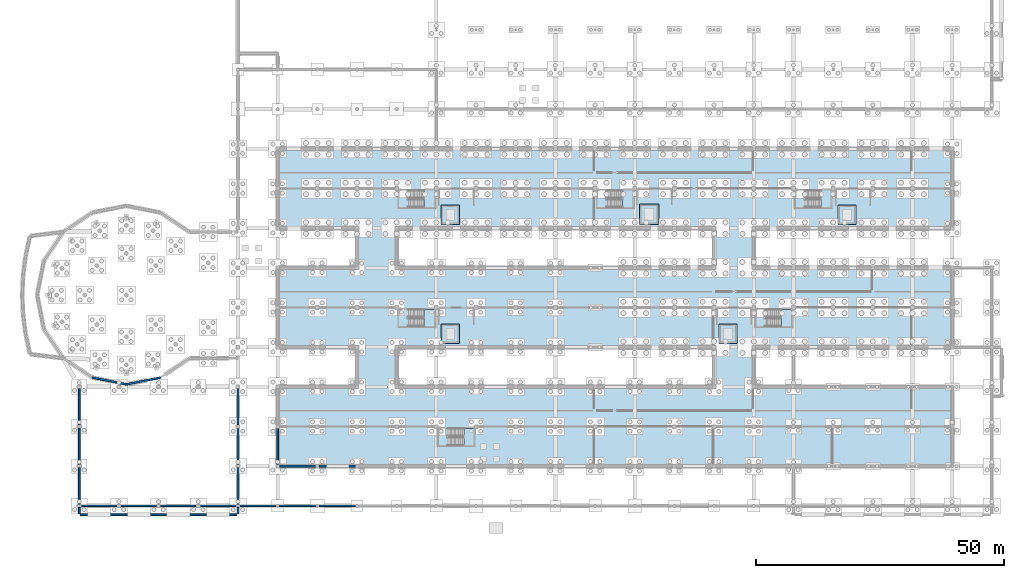
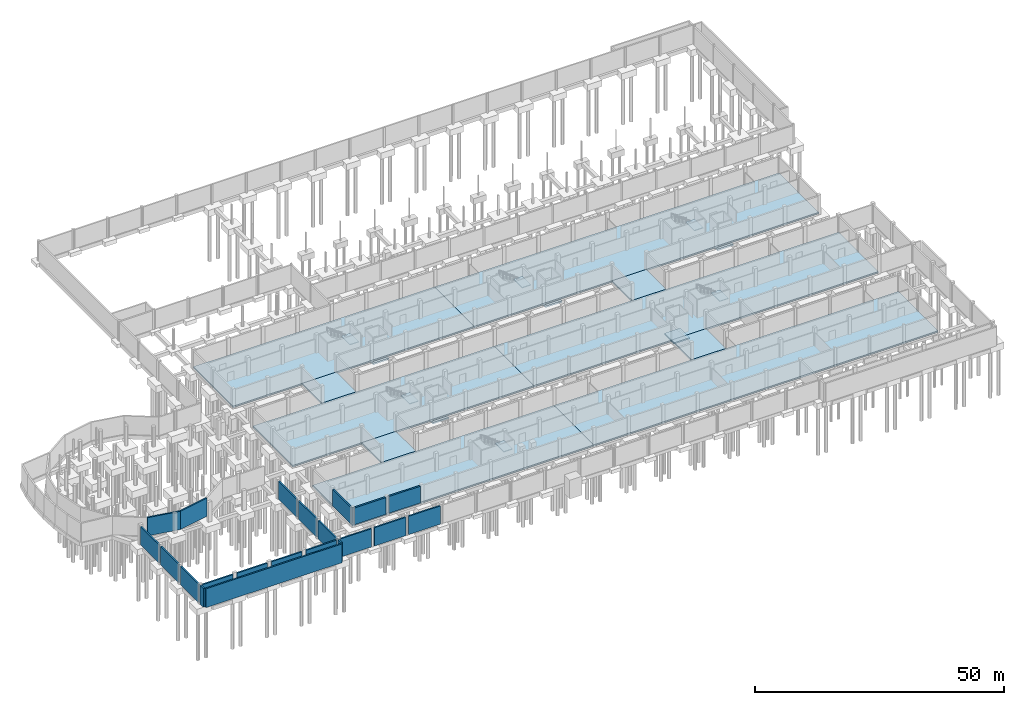
# One storey, part 36 of 51: 21 slabs, 21 walls, 6 elements without a shape of their own.
"""IFC4 building model written with IfcOpenShell, lengths in metres."""

from ifc_helpers import new_model, si_unit, direction, frame, frame_2d, origin, place, context, subcontext, project, spatial, polyline, rectangle, outline, extrude, material, layer, layer_set, type_object, element, aggregate, save


model = new_model("IFC4")

# Units and contexts
model_context = context("Model", 3, precision=1e-05, world=origin(), true_north=direction((0.0, 1.0)))
body_context = subcontext(model_context, "Body", "Model", "MODEL_VIEW")
ifc_project = project(units=[si_unit("LENGTHUNIT", "METRE"), si_unit("AREAUNIT", "SQUARE_METRE"), si_unit("VOLUMEUNIT", "CUBIC_METRE"), si_unit("PLANEANGLEUNIT", "RADIAN"), si_unit("MASSUNIT", "GRAM", prefix="KILO")], contexts=[model_context])

# Site, building, storey
site_placement = place(None, origin())
site = spatial("IfcSite", under=ifc_project, at=site_placement, CompositionType="ELEMENT")
building_placement = place(site_placement, origin())
building = spatial("IfcBuilding", under=site, at=building_placement, Name="Jelvoka-Kovrelna Polytechnic", CompositionType="ELEMENT")
storey_placement = place(building_placement, frame((0.0, 0.0, -4.5)))
storey = spatial("IfcBuildingStorey", under=building, at=storey_placement, Name="B01", CompositionType="ELEMENT", Elevation=-4.5)

# Slabs
ifc_material_1 = material(Name="Concrete C35/45", Category="concrete")
ifc_layer_1 = layer(ifc_material_1, 0.35009765625)
ifc_layer_set_1 = layer_set([ifc_layer_1], Name="Concrete C35/45")
slab_type_1 = type_object("IfcSlabType", Name="Slab_Base_350", PredefinedType="BASESLAB", material=ifc_layer_set_1)
slab_1_placement = place(storey_placement, frame((0.0, 0.0, -1.85009765625)))
element("IfcSlab", 1, at=slab_1_placement, inside=storey, type_object=slab_type_1, Name="B01 lift pit base slab LF-FF1", PredefinedType="BASESLAB", context=body_context, shape_type="SweptSolid", body=[
    extrude(outline(polyline([(88.949951171875, 56.75), (92.64990234375, 56.75), (92.64990234375, 60.64990234375), (88.949951171875, 60.64990234375), (88.949951171875, 56.75)])), origin(), (0.0, 0.0, 1.0), 0.35009765625),
])
slab_2_placement = place(storey_placement, frame((0.0, 0.0, -1.85009765625)))
element("IfcSlab", 2, at=slab_2_placement, inside=storey, type_object=slab_type_1, Name="B01 lift pit base slab LF-FF2", PredefinedType="BASESLAB", context=body_context, shape_type="SweptSolid", body=[
    extrude(outline(polyline([(168.949951171875, 56.75), (172.64990234375, 56.75), (172.64990234375, 60.64990234375), (168.949951171875, 60.64990234375), (168.949951171875, 56.75)])), origin(), (0.0, 0.0, 1.0), 0.35009765625),
])
slab_3_placement = place(storey_placement, frame((0.0, 0.0, -1.85009765625)))
element("IfcSlab", 3, at=slab_3_placement, inside=storey, type_object=slab_type_1, Name="B01 lift pit base slab LF-P1", PredefinedType="BASESLAB", context=body_context, shape_type="SweptSolid", body=[
    extrude(outline(polyline([(88.949951171875, 32.75), (92.64990234375, 32.75), (92.64990234375, 36.64990234375), (88.949951171875, 36.64990234375), (88.949951171875, 32.75)])), origin(), (0.0, 0.0, 1.0), 0.35009765625),
])
slab_4_placement = place(storey_placement, frame((0.0, 0.0, -1.85009765625)))
element("IfcSlab", 4, at=slab_4_placement, inside=storey, type_object=slab_type_1, Name="B01 lift pit base slab LF-P2", PredefinedType="BASESLAB", context=body_context, shape_type="SweptSolid", body=[
    extrude(outline(polyline([(144.949951171875, 32.75), (148.64990234375, 32.75), (148.64990234375, 36.64990234375), (144.949951171875, 36.64990234375), (144.949951171875, 32.75)])), origin(), (0.0, 0.0, 1.0), 0.35009765625),
])
slab_5_placement = place(storey_placement, frame((0.0, 0.0, -1.85009765625)))
element("IfcSlab", 5, at=slab_5_placement, inside=storey, type_object=slab_type_1, Name="B01 lift pit base slab LF-G2", PredefinedType="BASESLAB", context=body_context, shape_type="SweptSolid", body=[
    extrude(outline(polyline([(128.949951171875, 56.75), (132.85009765625, 56.75), (132.85009765625, 60.85009765625), (128.949951171875, 60.85009765625), (128.949951171875, 56.75)])), origin(), (0.0, 0.0, 1.0), 0.35009765625),
])
ifc_material_2 = material(Name="Concrete C35/45", Category="concrete")
ifc_layer_2 = layer(ifc_material_2, 0.405029296875)
ifc_layer_set_2 = layer_set([ifc_layer_2], Name="Concrete C35/45")
slab_type_2 = type_object("IfcSlabType", Name="Slab_Base_400", PredefinedType="BASESLAB", material=ifc_layer_set_2)
slab_6_placement = place(storey_placement, frame((0.0, 0.0, -0.405029296875)))
element("IfcSlab", 6, at=slab_6_placement, inside=storey, type_object=slab_type_2, Name="B01 B1W structural slab", PredefinedType="BASESLAB", context=body_context, shape_type="SweptSolid", body=[
    extrude(outline(polyline([(56.0, 8.0), (112.0, 8.0), (112.0, 24.0), (56.0, 24.0), (56.0, 8.0)])), origin(), (0.0, 0.0, 1.0), 0.405029296875),
])
slab_7_placement = place(storey_placement, frame((0.0, 0.0, -0.405029296875)))
element("IfcSlab", 7, at=slab_7_placement, inside=storey, type_object=slab_type_2, Name="B01 B1E structural slab", PredefinedType="BASESLAB", context=body_context, shape_type="SweptSolid", body=[
    extrude(outline(polyline([(112.0, 8.0), (192.0, 8.0), (192.0, 24.0), (112.0, 24.0), (112.0, 8.0)])), origin(), (0.0, 0.0, 1.0), 0.405029296875),
])
slab_8_placement = place(storey_placement, frame((0.0, 0.0, -0.405029296875)))
element("IfcSlab", 8, at=slab_8_placement, inside=storey, type_object=slab_type_2, Name="B01 B2W structural slab", PredefinedType="BASESLAB", context=body_context, shape_type="SweptSolid", body=[
    extrude(outline(polyline([(56.0, 32.0), (112.0, 32.0), (112.0, 48.0), (56.0, 48.0), (56.0, 32.0)])), origin(), (0.0, 0.0, 1.0), 0.405029296875),
])
slab_9_placement = place(storey_placement, frame((0.0, 0.0, -0.405029296875)))
element("IfcSlab", 9, at=slab_9_placement, inside=storey, type_object=slab_type_2, Name="B01 B2E structural slab", PredefinedType="BASESLAB", context=body_context, shape_type="SweptSolid", body=[
    extrude(outline(polyline([(112.0, 32.0), (192.0, 32.0), (192.0, 48.0), (112.0, 48.0), (112.0, 32.0)])), origin(), (0.0, 0.0, 1.0), 0.405029296875),
])
slab_10_placement = place(storey_placement, frame((0.0, 0.0, -0.405029296875)))
element("IfcSlab", 10, at=slab_10_placement, inside=storey, type_object=slab_type_2, Name="B01 B3W structural slab", PredefinedType="BASESLAB", context=body_context, shape_type="SweptSolid", body=[
    extrude(outline(polyline([(56.0, 56.0), (112.0, 56.0), (112.0, 72.0), (56.0, 72.0), (56.0, 56.0)])), origin(), (0.0, 0.0, 1.0), 0.405029296875),
])
slab_11_placement = place(storey_placement, frame((0.0, 0.0, -0.405029296875)))
element("IfcSlab", 11, at=slab_11_placement, inside=storey, type_object=slab_type_2, Name="B01 B3E structural slab", PredefinedType="BASESLAB", context=body_context, shape_type="SweptSolid", body=[
    extrude(outline(polyline([(112.0, 56.0), (192.0, 56.0), (192.0, 72.0), (112.0, 72.0), (112.0, 56.0)])), origin(), (0.0, 0.0, 1.0), 0.405029296875),
])
slab_12_placement = place(storey_placement, frame((0.0, 0.0, -0.405029296875)))
element("IfcSlab", 12, at=slab_12_placement, inside=storey, type_object=slab_type_2, Name="B01 LNKSW structural slab", PredefinedType="BASESLAB", context=body_context, shape_type="SweptSolid", body=[
    extrude(outline(polyline([(72.0, 24.0), (80.0, 24.0), (80.0, 32.0), (72.0, 32.0), (72.0, 24.0)])), origin(), (0.0, 0.0, 1.0), 0.405029296875),
])
slab_13_placement = place(storey_placement, frame((0.0, 0.0, -0.405029296875)))
element("IfcSlab", 13, at=slab_13_placement, inside=storey, type_object=slab_type_2, Name="B01 LNKSE structural slab", PredefinedType="BASESLAB", context=body_context, shape_type="SweptSolid", body=[
    extrude(outline(polyline([(144.0, 24.0), (152.0, 24.0), (152.0, 32.0), (144.0, 32.0), (144.0, 24.0)])), origin(), (0.0, 0.0, 1.0), 0.405029296875),
])
slab_14_placement = place(storey_placement, frame((0.0, 0.0, -0.405029296875)))
element("IfcSlab", 14, at=slab_14_placement, inside=storey, type_object=slab_type_2, Name="B01 LNKW structural slab", PredefinedType="BASESLAB", context=body_context, shape_type="SweptSolid", body=[
    extrude(outline(polyline([(72.0, 48.0), (80.0, 48.0), (80.0, 56.0), (72.0, 56.0), (72.0, 48.0)])), origin(), (0.0, 0.0, 1.0), 0.405029296875),
])
slab_15_placement = place(storey_placement, frame((0.0, 0.0, -0.405029296875)))
element("IfcSlab", 15, at=slab_15_placement, inside=storey, type_object=slab_type_2, Name="B01 LNKE structural slab", PredefinedType="BASESLAB", context=body_context, shape_type="SweptSolid", body=[
    extrude(outline(polyline([(144.0, 48.0), (152.0, 48.0), (152.0, 56.0), (144.0, 56.0), (144.0, 48.0)])), origin(), (0.0, 0.0, 1.0), 0.405029296875),
])

# Stair, slab
ifc_material_3 = material(Name="Concrete C35/45", Category="concrete")
stair_type_1 = type_object("IfcStairType", Name="Stair_Dogleg_1620", PredefinedType="TWO_STRAIGHT_RUN_STAIR", material=ifc_material_3)
stair_1_placement = place(storey_placement, origin())
stair_1 = element("IfcStair", 16, at=stair_1_placement, inside=storey, type_object=stair_type_1, Name="B01 ST06", PredefinedType="TWO_STRAIGHT_RUN_STAIR")
ifc_material_4 = material(Name="Concrete C35/45", Category="concrete")
ifc_layer_3 = layer(ifc_material_4, 0.199951171875)
ifc_layer_set_3 = layer_set([ifc_layer_3], Name="Concrete C35/45")
slab_type_3 = type_object("IfcSlabType", Name="Slab_Stair_Landing_200", PredefinedType="LANDING", material=ifc_layer_set_3)
slab_16_placement = place(storey_placement, frame((0.0, 0.0, 2.050048828125)))
slab_16 = element("IfcSlab", 17, at=slab_16_placement, type_object=slab_type_3, Name="ST06 landing 1", PredefinedType="LANDING", context=body_context, shape_type="SweptSolid", body=[
    extrude(outline(polyline([(93.550048828125, 12.199951171875), (95.60009765625, 12.199951171875), (95.60009765625, 15.639892578125), (93.550048828125, 15.639892578125), (93.550048828125, 12.199951171875)])), origin(), (0.0, 0.0, 1.0), 0.199951171875),
])
aggregate(stair_1, [slab_16])

stair_2_placement = place(storey_placement, origin())
stair_2 = element("IfcStair", 18, at=stair_2_placement, inside=storey, type_object=stair_type_1, Name="B01 ST07", PredefinedType="TWO_STRAIGHT_RUN_STAIR")
slab_17_placement = place(storey_placement, frame((0.0, 0.0, 2.050048828125)))
slab_17 = element("IfcSlab", 19, at=slab_17_placement, type_object=slab_type_3, Name="ST07 landing 1", PredefinedType="LANDING", context=body_context, shape_type="SweptSolid", body=[
    extrude(outline(polyline([(85.550048828125, 36.199951171875), (87.60009765625, 36.199951171875), (87.60009765625, 39.639892578125), (85.550048828125, 39.639892578125), (85.550048828125, 36.199951171875)])), origin(), (0.0, 0.0, 1.0), 0.199951171875),
])
aggregate(stair_2, [slab_17])

stair_3_placement = place(storey_placement, origin())
stair_3 = element("IfcStair", 20, at=stair_3_placement, inside=storey, type_object=stair_type_1, Name="B01 ST08", PredefinedType="TWO_STRAIGHT_RUN_STAIR")
slab_18_placement = place(storey_placement, frame((0.0, 0.0, 2.050048828125)))
slab_18 = element("IfcSlab", 21, at=slab_18_placement, type_object=slab_type_3, Name="ST08 landing 1", PredefinedType="LANDING", context=body_context, shape_type="SweptSolid", body=[
    extrude(outline(polyline([(157.550048828125, 36.199951171875), (159.60009765625, 36.199951171875), (159.60009765625, 39.639892578125), (157.550048828125, 39.639892578125), (157.550048828125, 36.199951171875)])), origin(), (0.0, 0.0, 1.0), 0.199951171875),
])
aggregate(stair_3, [slab_18])

stair_4_placement = place(storey_placement, origin())
stair_4 = element("IfcStair", 22, at=stair_4_placement, inside=storey, type_object=stair_type_1, Name="B01 ST09", PredefinedType="TWO_STRAIGHT_RUN_STAIR")
slab_19_placement = place(storey_placement, frame((0.0, 0.0, 2.050048828125)))
slab_19 = element("IfcSlab", 23, at=slab_19_placement, type_object=slab_type_3, Name="ST09 landing 1", PredefinedType="LANDING", context=body_context, shape_type="SweptSolid", body=[
    extrude(outline(polyline([(85.550048828125, 60.199951171875), (87.60009765625, 60.199951171875), (87.60009765625, 63.639892578125), (85.550048828125, 63.639892578125), (85.550048828125, 60.199951171875)])), origin(), (0.0, 0.0, 1.0), 0.199951171875),
])
aggregate(stair_4, [slab_19])

stair_5_placement = place(storey_placement, origin())
stair_5 = element("IfcStair", 24, at=stair_5_placement, inside=storey, type_object=stair_type_1, Name="B01 ST10", PredefinedType="TWO_STRAIGHT_RUN_STAIR")
slab_20_placement = place(storey_placement, frame((0.0, 0.0, 2.050048828125)))
slab_20 = element("IfcSlab", 25, at=slab_20_placement, type_object=slab_type_3, Name="ST10 landing 1", PredefinedType="LANDING", context=body_context, shape_type="SweptSolid", body=[
    extrude(outline(polyline([(165.550048828125, 60.199951171875), (167.60009765625, 60.199951171875), (167.60009765625, 63.639892578125), (165.550048828125, 63.639892578125), (165.550048828125, 60.199951171875)])), origin(), (0.0, 0.0, 1.0), 0.199951171875),
])
aggregate(stair_5, [slab_20])

ifc_material_5 = material(Name="Concrete C35/45", Category="concrete")
stair_type_2 = type_object("IfcStairType", Name="Stair_Dogleg_1580", PredefinedType="TWO_STRAIGHT_RUN_STAIR", material=ifc_material_5)
stair_6_placement = place(storey_placement, origin())
stair_6 = element("IfcStair", 26, at=stair_6_placement, inside=storey, type_object=stair_type_2, Name="B01 ST11", PredefinedType="TWO_STRAIGHT_RUN_STAIR")
slab_21_placement = place(storey_placement, frame((0.0, 0.0, 2.050048828125)))
slab_21 = element("IfcSlab", 27, at=slab_21_placement, type_object=slab_type_3, Name="ST11 landing 1", PredefinedType="LANDING", context=body_context, shape_type="SweptSolid", body=[
    extrude(outline(polyline([(125.550048828125, 60.199951171875), (127.60009765625, 60.199951171875), (127.60009765625, 63.639892578125), (125.550048828125, 63.639892578125), (125.550048828125, 60.199951171875)])), origin(), (0.0, 0.0, 1.0), 0.199951171875),
])
aggregate(stair_6, [slab_21])

# Walls
ifc_material_6 = material(Name="Concrete C35/45", Category="concrete")
ifc_layer_4 = layer(ifc_material_6, 0.35009765625)
ifc_layer_set_4 = layer_set([ifc_layer_4], Name="Concrete C35/45")
wall_type_1 = type_object("IfcWallType", Name="Wall_Retaining_350", PredefinedType="USERDEFINED", material=ifc_layer_set_4)
wall_1_placement = place(storey_placement, frame((56.0, 8.35009765625, 0.0), z_axis=(0.0, 0.0, 1.0), x_axis=(0.0, 1.0, 0.0)))
element("IfcWall", 28, at=wall_1_placement, inside=storey, type_object=wall_type_1, Name="B01 exterior wall 0033", ObjectType="RETAININGWALL", PredefinedType="USERDEFINED", context=body_context, shape_type="SweptSolid", body=[
    extrude(rectangle(XDim=7.2998046875, YDim=0.35009765625, at=frame_2d((3.64990234375, 0.0))), origin(), (0.0, 0.0, 1.0), 4.094970703125),
])
for number, where, z_axis, x_axis, name in (
    (29, (18.61181640625, 25.8701171875, -0.405029296875), (0.0, 0.0, 1.0), (0.980786035562, -0.19508652554, 0.0), "B01 exterior wall 0124"),
    (30, (25.5, 24.5, -0.405029296875), (0.0, 0.0, 1.0), (0.980786035562, 0.19508652554, 0.0), "B01 exterior wall 0125"),
):
    element("IfcWall", number, at=place(storey_placement, frame(where, z_axis=z_axis, x_axis=x_axis)), inside=storey, type_object=wall_type_1, Name=name, ObjectType="RETAININGWALL", PredefinedType="USERDEFINED", context=body_context, shape_type="SweptSolid", body=[
        extrude(rectangle(XDim=7.023193359375, YDim=0.35009765625, at=frame_2d((3.51171875, 0.0))), origin(), (0.0, 0.0, 1.0), 4.4951171875),
    ])
wall_2_placement = place(storey_placement, frame((16.219970703125, -1.800048828125, -0.405029296875), z_axis=(0.0, 0.0, 1.0), x_axis=(1.0, 0.0, 0.0)))
element("IfcWall", 31, at=wall_2_placement, inside=storey, type_object=wall_type_1, Name="B01 exterior wall 0139", ObjectType="RETAININGWALL", PredefinedType="USERDEFINED", context=body_context, shape_type="SweptSolid", body=[
    extrude(rectangle(XDim=31.56005859375, YDim=0.35009765625, at=frame_2d((15.780029296875, 0.0))), origin(), (0.0, 0.0, 1.0), 4.6201171875),
])
for number, where, z_axis, x_axis, name in (
    (32, (16.0, -1.60009765625, -0.405029296875), (0.0, 0.0, 1.0), (0.0, 1.0, 0.0), "B01 exterior wall 0140"),
    (33, (48.0, -1.60009765625, -0.405029296875), (0.0, 0.0, 1.0), (0.0, 1.0, 0.0), "B01 exterior wall 0141"),
):
    element("IfcWall", number, at=place(storey_placement, frame(where, z_axis=z_axis, x_axis=x_axis)), inside=storey, type_object=wall_type_1, Name=name, ObjectType="RETAININGWALL", PredefinedType="USERDEFINED", context=body_context, shape_type="SweptSolid", body=[
        extrude(rectangle(XDim=1.2880859375, YDim=0.35009765625, at=frame_2d((0.64404296875, 0.0))), origin(), (0.0, 0.0, 1.0), 4.6201171875),
    ])
for number, where, z_axis, x_axis, name in (
    (34, (16.43701171875, 0.0, -0.405029296875), (0.0, 0.0, 1.0), (1.0, 0.0, 0.0), "B01 exterior wall 0145"),
    (35, (24.43701171875, 0.0, -0.405029296875), (0.0, 0.0, 1.0), (1.0, 0.0, 0.0), "B01 exterior wall 0146"),
    (36, (32.43701171875, 0.0, -0.405029296875), (0.0, 0.0, 1.0), (1.0, 0.0, 0.0), "B01 exterior wall 0147"),
    (37, (40.43701171875, 0.0, -0.405029296875), (0.0, 0.0, 1.0), (1.0, 0.0, 0.0), "B01 exterior wall 0148"),
):
    element("IfcWall", number, at=place(storey_placement, frame(where, z_axis=z_axis, x_axis=x_axis)), inside=storey, type_object=wall_type_1, Name=name, ObjectType="RETAININGWALL", PredefinedType="USERDEFINED", context=body_context, shape_type="SweptSolid", body=[
        extrude(rectangle(XDim=7.1259765625, YDim=0.35009765625, at=frame_2d((3.56298828125, 0.0))), origin(), (0.0, 0.0, 1.0), 4.4951171875),
    ])
wall_3_placement = place(storey_placement, frame((48.43701171875, 0.0, -0.405029296875), z_axis=(0.0, 0.0, 1.0), x_axis=(1.0, 0.0, 0.0)))
element("IfcWall", 38, at=wall_3_placement, inside=storey, type_object=wall_type_1, Name="B01 exterior wall 0149", ObjectType="RETAININGWALL", PredefinedType="USERDEFINED", context=body_context, shape_type="SweptSolid", body=[
    extrude(rectangle(XDim=7.22607421875, YDim=0.35009765625, at=frame_2d((3.613037109375, 0.0))), origin(), (0.0, 0.0, 1.0), 4.4951171875),
])
for number, where, z_axis, x_axis, name in (
    (39, (56.3369140625, 0.0, -0.405029296875), (0.0, 0.0, 1.0), (1.0, 0.0, 0.0), "B01 exterior wall 0150"),
    (40, (64.3369140625, 0.0, -0.405029296875), (0.0, 0.0, 1.0), (1.0, 0.0, 0.0), "B01 exterior wall 0151"),
):
    element("IfcWall", number, at=place(storey_placement, frame(where, z_axis=z_axis, x_axis=x_axis)), inside=storey, type_object=wall_type_1, Name=name, ObjectType="RETAININGWALL", PredefinedType="USERDEFINED", context=body_context, shape_type="SweptSolid", body=[
        extrude(rectangle(XDim=7.326171875, YDim=0.35009765625, at=frame_2d((3.6630859375, 0.0))), origin(), (0.0, 0.0, 1.0), 4.4951171875),
    ])
for number, where, z_axis, x_axis, name in (
    (41, (16.0, 0.31201171875, -0.405029296875), (0.0, 0.0, 1.0), (0.0, 1.0, 0.0), "B01 exterior wall 0168"),
    (42, (16.0, 8.31201171875, -0.405029296875), (0.0, 0.0, 1.0), (0.0, 1.0, 0.0), "B01 exterior wall 0169"),
    (43, (16.0, 16.31201171875, -0.405029296875), (0.0, 0.0, 1.0), (0.0, 1.0, 0.0), "B01 exterior wall 0170"),
    (44, (48.0, 0.31201171875, -0.405029296875), (0.0, 0.0, 1.0), (0.0, 1.0, 0.0), "B01 exterior wall 0171"),
):
    element("IfcWall", number, at=place(storey_placement, frame(where, z_axis=z_axis, x_axis=x_axis)), inside=storey, type_object=wall_type_1, Name=name, ObjectType="RETAININGWALL", PredefinedType="USERDEFINED", context=body_context, shape_type="SweptSolid", body=[
        extrude(rectangle(XDim=7.3759765625, YDim=0.35009765625, at=frame_2d((3.68798828125, 0.0))), origin(), (0.0, 0.0, 1.0), 4.4951171875),
    ])
wall_4_placement = place(storey_placement, frame((48.0, 8.31201171875, -0.405029296875), z_axis=(0.0, 0.0, 1.0), x_axis=(0.0, 1.0, 0.0)))
element("IfcWall", 45, at=wall_4_placement, inside=storey, type_object=wall_type_1, Name="B01 exterior wall 0172", ObjectType="RETAININGWALL", PredefinedType="USERDEFINED", context=body_context, shape_type="SweptSolid", body=[
    extrude(rectangle(XDim=7.325927734375, YDim=0.35009765625, at=frame_2d((3.6630859375, 0.0))), origin(), (0.0, 0.0, 1.0), 4.4951171875),
])
wall_5_placement = place(storey_placement, frame((48.0, 16.362060546875, -0.405029296875), z_axis=(0.0, 0.0, 1.0), x_axis=(0.0, 1.0, 0.0)))
element("IfcWall", 46, at=wall_5_placement, inside=storey, type_object=wall_type_1, Name="B01 exterior wall 0173", ObjectType="RETAININGWALL", PredefinedType="USERDEFINED", context=body_context, shape_type="SweptSolid", body=[
    extrude(rectangle(XDim=7.27587890625, YDim=0.35009765625, at=frame_2d((3.637939453125, 0.0))), origin(), (0.0, 0.0, 1.0), 4.4951171875),
])
ifc_material_7 = material(Name="Concrete C35/45", Category="concrete")
ifc_layer_5 = layer(ifc_material_7, 0.39990234375)
ifc_layer_set_5 = layer_set([ifc_layer_5], Name="Concrete C35/45")
wall_type_2 = type_object("IfcWallType", Name="Wall_Retaining_400", PredefinedType="USERDEFINED", material=ifc_layer_set_5)
for number, where, z_axis, x_axis, name in (
    (47, (63.64990234375, 8.0, 0.0), (0.0, 0.0, 1.0), (-1.0, 0.0, 0.0), "B01 exterior wall 0001"),
    (48, (71.64990234375, 8.0, 0.0), (0.0, 0.0, 1.0), (-1.0, 0.0, 0.0), "B01 exterior wall 0003"),
):
    element("IfcWall", number, at=place(storey_placement, frame(where, z_axis=z_axis, x_axis=x_axis)), inside=storey, type_object=wall_type_2, Name=name, ObjectType="RETAININGWALL", PredefinedType="USERDEFINED", context=body_context, shape_type="SweptSolid", body=[
        extrude(rectangle(XDim=7.2998046875, YDim=0.39990234375, at=frame_2d((3.64990234375, 0.0))), origin(), (0.0, 0.0, 1.0), 4.094970703125),
    ])

save(model, "model.ifc")
